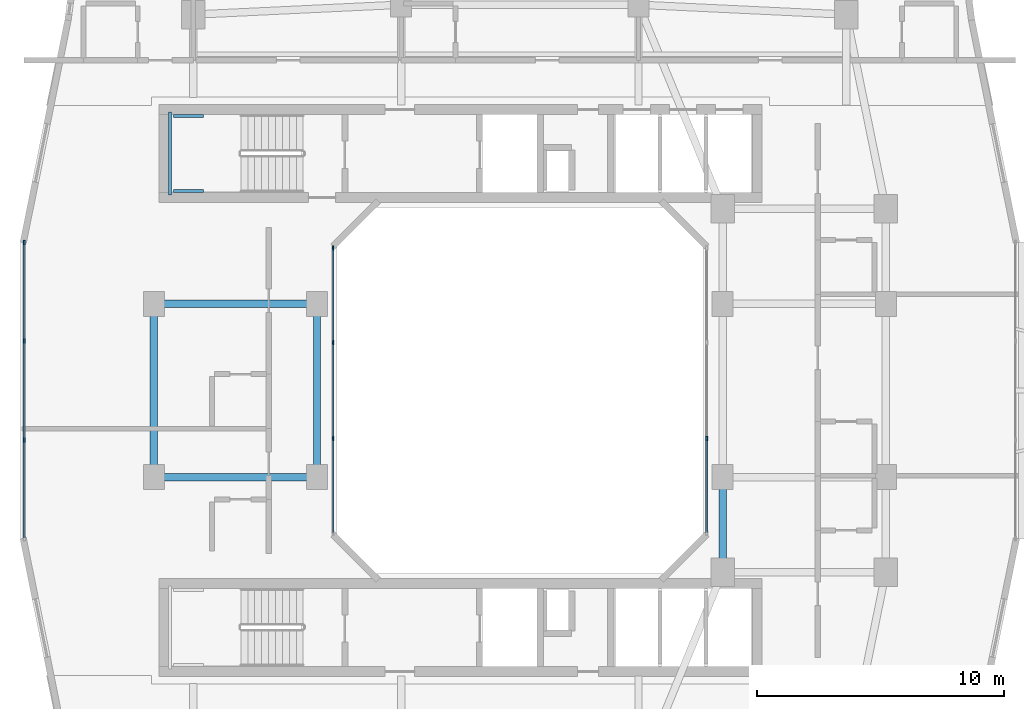
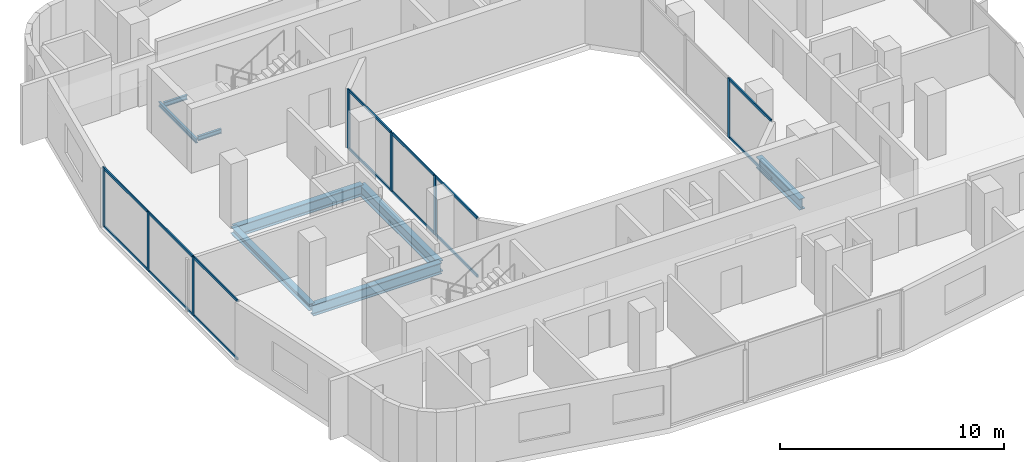
# One storey, part 3 of 26: 21 members, 8 beams, 3 elements without a shape of their own.
"""IFC4 building model written with IfcOpenShell, lengths in metres."""

import ifcopenshell
import ifcopenshell.guid

model = None  # the IFC model being written
_history = None  # IfcOwnerHistory: only IFC2X3 demands one
_inside = {}  # id of a spatial element -> (the spatial element, [elements in it])
_under = {}  # id of a project, library or spatial element -> (it, [spatial elements below it])
_declared = {}  # id of a project -> (the project, [libraries it declares])
_typed = {}  # id of a type object -> (the type object, [elements of that type])
_made_of = {}  # id of a material, layer set ... -> (it, [elements and type objects made of it])


def new_model(schema):
    """Start an empty IFC model of exactly this schema.

    Asked for "IFC4X3", IfcOpenShell would pick the latest addendum, in which some entities
    have other attributes; the version numbers below select the first issue.
    IFC2X3 requires an IfcOwnerHistory on every rooted entity: one is made here for all.
    """
    global model, _history
    if schema == "IFC4X3":
        model = ifcopenshell.file(schema_version=(4, 3, 0, 0))
    else:
        model = ifcopenshell.file(schema=schema)
    _inside.clear()
    _under.clear()
    _declared.clear()
    _typed.clear()
    _made_of.clear()
    _history = None
    if model.schema == "IFC2X3":
        org = make("IfcOrganization", Name="unknown")
        user = make(
            "IfcPersonAndOrganization",
            ThePerson=make("IfcPerson", FamilyName="unknown"),
            TheOrganization=org,
        )
        app = make(
            "IfcApplication",
            ApplicationDeveloper=org,
            Version="unknown",
            ApplicationFullName="unknown",
            ApplicationIdentifier="unknown",
        )
        _history = make(
            "IfcOwnerHistory",
            OwningUser=user,
            OwningApplication=app,
            ChangeAction="ADDED",
            CreationDate=0,
        )
    return model


def make(cls, **values):
    """One entity of the class cls with the attributes given. An attribute that is None is left unset."""
    return model.create_entity(
        cls, **{name: value for name, value in values.items() if value is not None}
    )


def rooted(cls, **values):
    """An entity with a GlobalId (a new one), such as an element, a storey or a relation."""
    return make(cls, GlobalId=ifcopenshell.guid.new(), OwnerHistory=_history, **values)


def si_unit(unit_type, name, prefix=None):
    """IfcSIUnit, for example si_unit("LENGTHUNIT", "METRE", prefix="MILLI")."""
    return make("IfcSIUnit", UnitType=unit_type, Prefix=prefix, Name=name)


def derived_unit(unit_type, elements):
    """IfcDerivedUnit: a product of units, each with its exponent."""
    return make(
        "IfcDerivedUnit",
        Elements=[
            make("IfcDerivedUnitElement", Unit=unit, Exponent=power)
            for unit, power in elements
        ],
        UnitType=unit_type,
    )


def assignment(units):
    """IfcUnitAssignment: the units of a project."""
    return None if units is None else make("IfcUnitAssignment", Units=units)


def point(xyz):
    """IfcCartesianPoint."""
    return None if xyz is None else make("IfcCartesianPoint", Coordinates=xyz)


def direction(xyz):
    """IfcDirection."""
    return None if xyz is None else make("IfcDirection", DirectionRatios=xyz)


def frame(location, z_axis=None, x_axis=None):
    """IfcAxis2Placement3D, a coordinate frame: its origin and axes. An axis left out is left unset."""
    return make(
        "IfcAxis2Placement3D",
        Location=point(location),
        Axis=direction(z_axis),
        RefDirection=direction(x_axis),
    )


def frame_2d(location, x_axis=None):
    """IfcAxis2Placement2D, a coordinate frame in the plane: its origin and x axis."""
    return make(
        "IfcAxis2Placement2D", Location=point(location), RefDirection=direction(x_axis)
    )


def origin():
    """The frame at (0, 0, 0) with its axes left unset."""
    return frame((0.0, 0.0, 0.0))


def origin_2d():
    """The frame at (0, 0) in the plane with its x axis left unset."""
    return frame_2d((0.0, 0.0))


def place(relative_to, where):
    """IfcLocalPlacement: puts the frame where relative to a parent placement (None: the world)."""
    return make(
        "IfcLocalPlacement", PlacementRelTo=relative_to, RelativePlacement=where
    )


def context(
    kind, dimensions, precision=None, world=None, true_north=None, identifier=None
):
    """IfcGeometricRepresentationContext, for example the 3D "Model" context."""
    return make(
        "IfcGeometricRepresentationContext",
        ContextIdentifier=identifier,
        ContextType=kind,
        CoordinateSpaceDimension=dimensions,
        Precision=precision,
        WorldCoordinateSystem=world,
        TrueNorth=true_north,
    )


def subcontext(parent, identifier, kind, view, scale=None):
    """IfcGeometricRepresentationSubContext, for example "Body" below "Model"."""
    return make(
        "IfcGeometricRepresentationSubContext",
        ContextIdentifier=identifier,
        ContextType=kind,
        ParentContext=parent,
        TargetScale=scale,
        TargetView=view,
    )


def project(units=None, contexts=None):
    """IfcProject with its units and contexts."""
    return rooted(
        "IfcProject",
        Name="project",
        RepresentationContexts=contexts,
        UnitsInContext=assignment(units),
    )


def spatial(cls, under=None, at=None, **own):
    """A site, building, storey or space (cls), placed at a placement, below another one or the project."""
    s = rooted(cls, ObjectPlacement=at, **own)
    if under is not None:
        _under.setdefault(under.id(), (under, []))[1].append(s)
    return s


def profile(cls, at=None, kind="AREA", **sizes):
    """A parametric profile (cls). Its sizes go by their IFC names, for example OverallWidth=200.0."""
    return make(cls, ProfileType=kind, Position=at, **sizes)


def rectangle(**sizes):
    """IfcRectangleProfileDef."""
    return profile("IfcRectangleProfileDef", **sizes)


def i_section(**sizes):
    """IfcIShapeProfileDef."""
    return profile("IfcIShapeProfileDef", **sizes)


def extrude(swept, where, along, depth):
    """IfcExtrudedAreaSolid: the profile swept, set in the frame where, extruded along a direction by depth."""
    return make(
        "IfcExtrudedAreaSolid",
        SweptArea=swept,
        Position=where,
        ExtrudedDirection=direction(along),
        Depth=depth,
    )


def shape(context_of_items, identifier, shape_type, items):
    """IfcShapeRepresentation: the items that make up one representation, for example the "Body"."""
    return make(
        "IfcShapeRepresentation",
        ContextOfItems=context_of_items,
        RepresentationIdentifier=identifier,
        RepresentationType=shape_type,
        Items=items,
    )


def material(Name=None, Category=None):
    """IfcMaterial."""
    return make("IfcMaterial", Name=Name, Category=Category)


def layer(
    of_material, thickness, ventilated=None, Name=None, Category=None, Priority=None
):
    """IfcMaterialLayer: one layer of a wall or slab, of a material (None: an air gap)."""
    return make(
        "IfcMaterialLayer",
        Material=of_material,
        LayerThickness=thickness,
        IsVentilated=ventilated,
        Name=Name,
        Category=Category,
        Priority=Priority,
    )


def layer_set(layers, Name=None):
    """IfcMaterialLayerSet."""
    return make("IfcMaterialLayerSet", MaterialLayers=layers, LayerSetName=Name)


def material_profile(
    of_material, cross_section, Name=None, Category=None, Priority=None
):
    """IfcMaterialProfile: a cross section and its material."""
    return make(
        "IfcMaterialProfile",
        Name=Name,
        Material=of_material,
        Profile=cross_section,
        Priority=Priority,
        Category=Category,
    )


def profile_set(profiles, Name=None, composite=None):
    """IfcMaterialProfileSet."""
    return make(
        "IfcMaterialProfileSet",
        Name=Name,
        MaterialProfiles=profiles,
        CompositeProfile=composite,
    )


def made_of(thing, what):
    """Note that an element or type object is made of a material, layer set ...; save() writes the relation."""
    if what is not None:
        _made_of.setdefault(what.id(), (what, []))[1].append(thing)
    return thing


def type_object(cls, material=None, **own):
    """A type object (cls), such as IfcWallType, which elements share."""
    return made_of(rooted(cls, **own), material)


def element(
    cls,
    number,
    at=None,
    inside=None,
    cuts=None,
    type_object=None,
    material=None,
    context=None,
    identifier="Body",
    shape_type=None,
    held_by="IfcProductDefinitionShape",
    body=None,
    shapes=None,
    **own,
):
    """One element of the class cls, such as IfcWall. Its Tag is "e" and its number.

    at: its placement. inside: the storey or other place that contains it. cuts: it is an
    opening in that element (IfcRelVoidsElement). A single representation is given by context,
    identifier, shape_type and body (its items); several are given by shapes. held_by: the class
    of the entity that holds the representations. save() writes the other relations.
    """
    e = rooted(cls, Tag="e%d" % number, ObjectPlacement=at, **own)
    if body is not None:
        shapes = [shape(context, identifier, shape_type, body)]
    if shapes is not None:
        e.Representation = make(held_by, Representations=shapes)
    if inside is not None:
        _inside.setdefault(inside.id(), (inside, []))[1].append(e)
    if cuts is not None:
        rooted(
            "IfcRelVoidsElement", RelatingBuildingElement=cuts, RelatedOpeningElement=e
        )
    if type_object is not None:
        _typed.setdefault(type_object.id(), (type_object, []))[1].append(e)
    return made_of(e, material)


def aggregate(whole, parts):
    """IfcRelAggregates: a whole, such as a stair, and the parts it consists of."""
    return rooted("IfcRelAggregates", RelatingObject=whole, RelatedObjects=parts)


def save(model, path):
    """Write the relations noted so far, then the file.

    IfcRelAggregates (storeys below a building ...), IfcRelContainedInSpatialStructure (elements
    in a storey), IfcRelDefinesByType, IfcRelAssociatesMaterial and IfcRelDeclares: one each for
    every whole, place, type object, material and project.
    """
    for whole, parts in _under.values():
        aggregate(whole, parts)
    for where, things in _inside.values():
        rooted(
            "IfcRelContainedInSpatialStructure",
            RelatedElements=things,
            RelatingStructure=where,
        )
    for kind, things in _typed.values():
        rooted("IfcRelDefinesByType", RelatedObjects=things, RelatingType=kind)
    for what, things in _made_of.values():
        rooted("IfcRelAssociatesMaterial", RelatedObjects=things, RelatingMaterial=what)
    for by, libraries in _declared.values():
        rooted("IfcRelDeclares", RelatingContext=by, RelatedDefinitions=libraries)
    model.write(path)


model = new_model("IFC4")

# Units and contexts
model_context = context("Model", 3, precision=1e-05, world=origin(), true_north=direction((0.0, 1.0)))
body_context = subcontext(model_context, "Body", "Model", "MODEL_VIEW")
ifc_project = project(units=[si_unit("LENGTHUNIT", "METRE"), si_unit("AREAUNIT", "SQUARE_METRE"), si_unit("VOLUMEUNIT", "CUBIC_METRE"), si_unit("PLANEANGLEUNIT", "RADIAN"), si_unit("MASSUNIT", "GRAM", prefix="KILO"), derived_unit("THERMALTRANSMITTANCEUNIT", [(si_unit("POWERUNIT", "WATT"), 1), (si_unit("LENGTHUNIT", "METRE"), -2), (si_unit("THERMODYNAMICTEMPERATUREUNIT", "KELVIN"), -1)])], contexts=[model_context])

# Site, building, storey
site_placement = place(None, origin())
site = spatial("IfcSite", under=ifc_project, at=site_placement, CompositionType="ELEMENT")
building_placement = place(site_placement, origin())
building = spatial("IfcBuilding", under=site, at=building_placement, Name="Kivonza Crest Hotel", CompositionType="ELEMENT")
storey_placement = place(building_placement, frame((0.0, 0.0, 109.0)))
storey = spatial("IfcBuildingStorey", under=building, at=storey_placement, Name="L29", CompositionType="ELEMENT", Elevation=109.0)

# Beams
ifc_material_1 = material(Name="Steel S355", Category="steel")
ifc_material_profile_1 = material_profile(ifc_material_1, i_section(OverallWidth=0.300048828125, OverallDepth=0.360107421875, WebThickness=0.012451171875, FlangeThickness=0.0224609375, FilletRadius=0.027099609375, at=origin_2d()), Name="HEB 360")
ifc_profile_set_1 = profile_set([ifc_material_profile_1], Name="Steel S355")
beam_type_1 = type_object("IfcBeamType", Name="BM-HEB360", PredefinedType="SPANDREL", material=ifc_profile_set_1)
beam_1_placement = place(storey_placement, frame((6.199951171875, 28.5, -0.4599609375), z_axis=(0.0, -1.0, 0.0), x_axis=(1.0, 0.0, 0.0)))
element("IfcBeam", 1, at=beam_1_placement, inside=storey, type_object=beam_type_1, Name="Tower T1 L29 perimeter spandrel W2-W1", PredefinedType="SPANDREL", context=body_context, shape_type="SweptSolid", body=[
    extrude(i_section(OverallWidth=0.300048828125, OverallDepth=0.360107421875, WebThickness=0.012451171875, FlangeThickness=0.0224609375, FilletRadius=0.027099609375, at=origin_2d()), origin(), (0.0, 0.0, 1.0), 7.0),
])
ifc_material_profile_2 = material_profile(ifc_material_1, i_section(OverallWidth=0.300048828125, OverallDepth=0.60009765625, WebThickness=0.015380859375, FlangeThickness=0.030029296875, FilletRadius=0.027099609375, at=origin_2d()), Name="HEB 600")
ifc_profile_set_2 = profile_set([ifc_material_profile_2], Name="Steel S355")
beam_type_2 = type_object("IfcBeamType", Name="BM-HEB600", PredefinedType="BEAM", material=ifc_profile_set_2)
for number, where, z_axis, x_axis, name in (
    (2, (6.199951171875, 21.5, -0.580078125), (1.0, 0.0, 0.0), (0.0, 1.0, 0.0), "Tower T1 L29 primary girder W1-WL1"),
    (3, (6.199951171875, 28.5, -0.580078125), (1.0, 0.0, 0.0), (0.0, 1.0, 0.0), "Tower T1 L29 primary girder W2-WL2"),
):
    element("IfcBeam", number, at=place(storey_placement, frame(where, z_axis=z_axis, x_axis=x_axis)), inside=storey, type_object=beam_type_2, Name=name, PredefinedType="BEAM", context=body_context, shape_type="SweptSolid", body=[
        extrude(i_section(OverallWidth=0.300048828125, OverallDepth=0.60009765625, WebThickness=0.015380859375, FlangeThickness=0.030029296875, FilletRadius=0.027099609375, at=origin_2d()), origin(), (0.0, 0.0, 1.0), 6.60009765625),
    ])
beam_2_placement = place(storey_placement, frame((12.800048828125, 21.5, -0.580078125), z_axis=(0.0, 1.0, 0.0), x_axis=(-1.0, 0.0, 0.0)))
element("IfcBeam", 4, at=beam_2_placement, inside=storey, type_object=beam_type_2, Name="Tower T1 L29 primary girder WL1-WL2", PredefinedType="BEAM", context=body_context, shape_type="SweptSolid", body=[
    extrude(i_section(OverallWidth=0.300048828125, OverallDepth=0.60009765625, WebThickness=0.015380859375, FlangeThickness=0.030029296875, FilletRadius=0.027099609375, at=origin_2d()), origin(), (0.0, 0.0, 1.0), 7.0),
])
beam_3_placement = place(storey_placement, frame((29.199951171875, 17.64990234375, -0.580078125), z_axis=(0.0, 1.0, 0.0), x_axis=(-1.0, 0.0, 0.0)))
element("IfcBeam", 5, at=beam_3_placement, inside=storey, type_object=beam_type_2, Name="Tower T1 L29 primary girder TSE-WR1", PredefinedType="BEAM", context=body_context, shape_type="SweptSolid", body=[
    extrude(i_section(OverallWidth=0.300048828125, OverallDepth=0.60009765625, WebThickness=0.015380859375, FlangeThickness=0.030029296875, FilletRadius=0.027099609375, at=origin_2d()), origin(), (0.0, 0.0, 1.0), 3.85009765625),
])
ifc_material_profile_3 = material_profile(ifc_material_1, i_section(OverallWidth=0.1201171875, OverallDepth=0.239990234375, WebThickness=0.006103515625, FlangeThickness=0.009765625, FilletRadius=0.014892578125, at=origin_2d()), Name="IPE 240")
ifc_profile_set_3 = profile_set([ifc_material_profile_3], Name="Steel S355")
beam_type_3 = type_object("IfcBeamType", Name="BM-LLDG-240", PredefinedType="BEAM", material=ifc_profile_set_3)
beam_4_placement = place(storey_placement, frame((6.860107421875, 32.89990234375, 1.429931640625), z_axis=(0.0, 1.0, 0.0), x_axis=(-1.0, 0.0, 0.0)))
element("IfcBeam", 6, at=beam_4_placement, inside=storey, type_object=beam_type_3, Name="Stair ST-T1-N L29 West landing corbel", PredefinedType="BEAM", context=body_context, shape_type="SweptSolid", body=[
    extrude(i_section(OverallWidth=0.1201171875, OverallDepth=0.239990234375, WebThickness=0.006103515625, FlangeThickness=0.009765625, FilletRadius=0.014892578125, at=origin_2d()), origin(), (0.0, 0.0, 1.0), 3.360107421875),
])
for number, where, z_axis, x_axis, name in (
    (7, (6.989990234375, 33.06005859375, 1.429931640625), (1.0, 0.0, 0.0), (0.0, 1.0, 0.0), "Stair ST-T1-N L29 South landing corbel"),
    (8, (6.989990234375, 36.10009765625, 1.429931640625), (1.0, 0.0, 0.0), (0.0, 1.0, 0.0), "Stair ST-T1-N L29 North landing corbel"),
):
    element("IfcBeam", number, at=place(storey_placement, frame(where, z_axis=z_axis, x_axis=x_axis)), inside=storey, type_object=beam_type_3, Name=name, PredefinedType="BEAM", context=body_context, shape_type="SweptSolid", body=[
        extrude(i_section(OverallWidth=0.1201171875, OverallDepth=0.239990234375, WebThickness=0.006103515625, FlangeThickness=0.009765625, FilletRadius=0.014892578125, at=origin_2d()), origin(), (0.0, 0.0, 1.0), 1.2099609375),
    ])

# Curtain wall, members
ifc_material_2 = material(Name="Anodised bronze aluminium and low-E double glazing", Category="aluminium")
ifc_layer_1 = layer(ifc_material_2, 0.179931640625)
ifc_layer_set_1 = layer_set([ifc_layer_1], Name="Anodised bronze aluminium and low-E double glazing")
curtain_wall_type_1 = type_object("IfcCurtainWallType", Name="CW-SYS-2", PredefinedType="NOTDEFINED", material=ifc_layer_set_1)
curtain_wall_1_placement = place(storey_placement, origin())
curtain_wall_1 = element("IfcCurtainWall", 9, at=curtain_wall_1_placement, inside=storey, type_object=curtain_wall_type_1, Name="L29 unitised curtain wall CW-T1-L29-35", PredefinedType="NOTDEFINED")
ifc_material_3 = material(Name="Anodised bronze aluminium", Category="aluminium")
ifc_material_profile_4 = material_profile(ifc_material_3, rectangle(XDim=0.06494140625, YDim=0.179931640625, at=origin_2d()), Name="CW-M 65x180")
ifc_profile_set_4 = profile_set([ifc_material_profile_4], Name="Anodised bronze aluminium")
member_type_1 = type_object("IfcMemberType", Name="CW-MUL-65x180", PredefinedType="MULLION", material=ifc_profile_set_4)
member_1_placement = place(storey_placement, frame((0.9599609375, 30.987548828125, 0.0), z_axis=(0.0, 0.0, 1.0), x_axis=(1.0, 0.0, 0.0)))
member_1 = element("IfcMember", 10, at=member_1_placement, type_object=member_type_1, Name="CW-2 mullion 1", PredefinedType="MULLION", context=body_context, shape_type="SweptSolid", body=[
    extrude(rectangle(XDim=0.06494140625, YDim=0.179931640625, at=origin_2d()), origin(), (0.0, 0.0, 1.0), 3.219970703125),
])
member_2_placement = place(storey_placement, frame((0.9599609375, 27.006591796875, 0.0), z_axis=(0.0, 0.0, 1.0), x_axis=(1.0, 0.0, 0.0)))
member_2 = element("IfcMember", 11, at=member_2_placement, type_object=member_type_1, Name="CW-2 mullion 2", PredefinedType="MULLION", context=body_context, shape_type="SweptSolid", body=[
    extrude(rectangle(XDim=0.06494140625, YDim=0.179931640625, at=origin_2d()), origin(), (0.0, 0.0, 1.0), 3.219970703125),
])
member_3_placement = place(storey_placement, frame((0.9599609375, 22.993408203125, 0.0), z_axis=(0.0, 0.0, 1.0), x_axis=(1.0, 0.0, 0.0)))
member_3 = element("IfcMember", 12, at=member_3_placement, type_object=member_type_1, Name="CW-2 mullion 3", PredefinedType="MULLION", context=body_context, shape_type="SweptSolid", body=[
    extrude(rectangle(XDim=0.06494140625, YDim=0.179931640625, at=origin_2d()), origin(), (0.0, 0.0, 1.0), 3.219970703125),
])

# Curtain wall, member
ifc_layer_2 = layer(ifc_material_2, 0.159912109375)
ifc_layer_set_2 = layer_set([ifc_layer_2], Name="Anodised bronze aluminium and low-E double glazing")
curtain_wall_type_2 = type_object("IfcCurtainWallType", Name="CW-SYS-5", PredefinedType="NOTDEFINED", material=ifc_layer_set_2)
curtain_wall_2_placement = place(storey_placement, origin())
curtain_wall_2 = element("IfcCurtainWall", 13, at=curtain_wall_2_placement, inside=storey, type_object=curtain_wall_type_2, Name="L29 unitised curtain wall CW-WELL-T1-L29-3", PredefinedType="NOTDEFINED")
member_4_placement = place(storey_placement, frame((28.56005859375, 23.066650390625, 0.0), z_axis=(0.0, 0.0, 1.0), x_axis=(-1.0, 0.0, 0.0)))
member_4 = element("IfcMember", 14, at=member_4_placement, type_object=member_type_1, Name="CW-5 mullion 2", PredefinedType="MULLION", context=body_context, shape_type="SweptSolid", body=[
    extrude(rectangle(XDim=0.06494140625, YDim=0.179931640625, at=origin_2d()), origin(), (0.0, 0.0, 1.0), 3.219970703125),
])

# Curtain wall, members
curtain_wall_3_placement = place(storey_placement, origin())
curtain_wall_3 = element("IfcCurtainWall", 15, at=curtain_wall_3_placement, inside=storey, type_object=curtain_wall_type_2, Name="L29 unitised curtain wall CW-WELL-T1-L29-7", PredefinedType="NOTDEFINED")
member_5_placement = place(storey_placement, frame((13.43994140625, 30.767578125, 0.0), z_axis=(0.0, 0.0, 1.0), x_axis=(1.0, 0.0, 0.0)))
member_5 = element("IfcMember", 16, at=member_5_placement, type_object=member_type_1, Name="CW-5 mullion 1", PredefinedType="MULLION", context=body_context, shape_type="SweptSolid", body=[
    extrude(rectangle(XDim=0.06494140625, YDim=0.179931640625, at=origin_2d()), origin(), (0.0, 0.0, 1.0), 3.219970703125),
])
member_6_placement = place(storey_placement, frame((13.43994140625, 26.933349609375, 0.0), z_axis=(0.0, 0.0, 1.0), x_axis=(1.0, 0.0, 0.0)))
member_6 = element("IfcMember", 17, at=member_6_placement, type_object=member_type_1, Name="CW-5 mullion 2", PredefinedType="MULLION", context=body_context, shape_type="SweptSolid", body=[
    extrude(rectangle(XDim=0.06494140625, YDim=0.179931640625, at=origin_2d()), origin(), (0.0, 0.0, 1.0), 3.219970703125),
])
member_7_placement = place(storey_placement, frame((13.43994140625, 23.066650390625, 0.0), z_axis=(0.0, 0.0, 1.0), x_axis=(1.0, 0.0, 0.0)))
member_7 = element("IfcMember", 18, at=member_7_placement, type_object=member_type_1, Name="CW-5 mullion 3", PredefinedType="MULLION", context=body_context, shape_type="SweptSolid", body=[
    extrude(rectangle(XDim=0.06494140625, YDim=0.179931640625, at=origin_2d()), origin(), (0.0, 0.0, 1.0), 3.219970703125),
])

# Member
ifc_material_profile_5 = material_profile(ifc_material_3, rectangle(XDim=0.06494140625, YDim=0.139892578125, at=origin_2d()), Name="CW-T 65x140")
ifc_profile_set_5 = profile_set([ifc_material_profile_5], Name="Anodised bronze aluminium")
member_type_2 = type_object("IfcMemberType", Name="CW-TRN-65x140", PredefinedType="USERDEFINED", material=ifc_profile_set_5)
member_8_placement = place(storey_placement, frame((0.9599609375, 30.955078125, 0.032470703125), z_axis=(0.0, -1.0, 0.0), x_axis=(1.0, 0.0, 0.0)))
member_8 = element("IfcMember", 19, at=member_8_placement, type_object=member_type_2, Name="CW-2 transom 1.1", ObjectType="TRANSOM", PredefinedType="USERDEFINED", context=body_context, shape_type="SweptSolid", body=[
    extrude(rectangle(XDim=0.06494140625, YDim=0.139892578125, at=origin_2d()), origin(), (0.0, 0.0, 1.0), 3.916015625),
])

member_9_placement = place(storey_placement, frame((0.9599609375, 30.955078125, 3.1875), z_axis=(0.0, -1.0, 0.0), x_axis=(1.0, 0.0, 0.0)))
member_9 = element("IfcMember", 20, at=member_9_placement, type_object=member_type_2, Name="CW-2 transom 1.2", ObjectType="TRANSOM", PredefinedType="USERDEFINED", context=body_context, shape_type="SweptSolid", body=[
    extrude(rectangle(XDim=0.06494140625, YDim=0.139892578125, at=origin_2d()), origin(), (0.0, 0.0, 1.0), 3.916015625),
])

member_10_placement = place(storey_placement, frame((0.9599609375, 26.97412109375, 0.032470703125), z_axis=(0.0, -1.0, 0.0), x_axis=(1.0, 0.0, 0.0)))
member_10 = element("IfcMember", 21, at=member_10_placement, type_object=member_type_2, Name="CW-2 transom 2.1", ObjectType="TRANSOM", PredefinedType="USERDEFINED", context=body_context, shape_type="SweptSolid", body=[
    extrude(rectangle(XDim=0.06494140625, YDim=0.139892578125, at=origin_2d()), origin(), (0.0, 0.0, 1.0), 3.9482421875),
])

member_11_placement = place(storey_placement, frame((0.9599609375, 26.97412109375, 3.1875), z_axis=(0.0, -1.0, 0.0), x_axis=(1.0, 0.0, 0.0)))
member_11 = element("IfcMember", 22, at=member_11_placement, type_object=member_type_2, Name="CW-2 transom 2.2", ObjectType="TRANSOM", PredefinedType="USERDEFINED", context=body_context, shape_type="SweptSolid", body=[
    extrude(rectangle(XDim=0.06494140625, YDim=0.139892578125, at=origin_2d()), origin(), (0.0, 0.0, 1.0), 3.9482421875),
])

member_12_placement = place(storey_placement, frame((0.9599609375, 22.9609375, 0.032470703125), z_axis=(0.0, -1.0, 0.0), x_axis=(1.0, 0.0, 0.0)))
member_12 = element("IfcMember", 23, at=member_12_placement, type_object=member_type_2, Name="CW-2 transom 3.1", ObjectType="TRANSOM", PredefinedType="USERDEFINED", context=body_context, shape_type="SweptSolid", body=[
    extrude(rectangle(XDim=0.06494140625, YDim=0.139892578125, at=origin_2d()), origin(), (0.0, 0.0, 1.0), 3.916015625),
])

member_13_placement = place(storey_placement, frame((0.9599609375, 22.9609375, 3.1875), z_axis=(0.0, -1.0, 0.0), x_axis=(1.0, 0.0, 0.0)))
member_13 = element("IfcMember", 24, at=member_13_placement, type_object=member_type_2, Name="CW-2 transom 3.2", ObjectType="TRANSOM", PredefinedType="USERDEFINED", context=body_context, shape_type="SweptSolid", body=[
    extrude(rectangle(XDim=0.06494140625, YDim=0.139892578125, at=origin_2d()), origin(), (0.0, 0.0, 1.0), 3.916015625),
])

aggregate(curtain_wall_1, [member_1, member_2, member_3, member_8, member_9, member_10, member_11, member_12, member_13])

member_14_placement = place(storey_placement, frame((28.56005859375, 19.264892578125, 0.032470703125), z_axis=(0.0, 1.0, 0.0), x_axis=(-1.0, 0.0, 0.0)))
member_14 = element("IfcMember", 25, at=member_14_placement, type_object=member_type_2, Name="CW-5 transom 1.1", ObjectType="TRANSOM", PredefinedType="USERDEFINED", context=body_context, shape_type="SweptSolid", body=[
    extrude(rectangle(XDim=0.06494140625, YDim=0.139892578125, at=origin_2d()), origin(), (0.0, 0.0, 1.0), 3.769287109375),
])

member_15_placement = place(storey_placement, frame((28.56005859375, 19.264892578125, 3.1875), z_axis=(0.0, 1.0, 0.0), x_axis=(-1.0, 0.0, 0.0)))
member_15 = element("IfcMember", 26, at=member_15_placement, type_object=member_type_2, Name="CW-5 transom 1.2", ObjectType="TRANSOM", PredefinedType="USERDEFINED", context=body_context, shape_type="SweptSolid", body=[
    extrude(rectangle(XDim=0.06494140625, YDim=0.139892578125, at=origin_2d()), origin(), (0.0, 0.0, 1.0), 3.769287109375),
])

aggregate(curtain_wall_2, [member_4, member_14, member_15])

member_16_placement = place(storey_placement, frame((13.43994140625, 30.735107421875, 0.032470703125), z_axis=(0.0, -1.0, 0.0), x_axis=(1.0, 0.0, 0.0)))
member_16 = element("IfcMember", 27, at=member_16_placement, type_object=member_type_2, Name="CW-5 transom 1.1", ObjectType="TRANSOM", PredefinedType="USERDEFINED", context=body_context, shape_type="SweptSolid", body=[
    extrude(rectangle(XDim=0.06494140625, YDim=0.139892578125, at=origin_2d()), origin(), (0.0, 0.0, 1.0), 3.769287109375),
])

member_17_placement = place(storey_placement, frame((13.43994140625, 30.735107421875, 3.1875), z_axis=(0.0, -1.0, 0.0), x_axis=(1.0, 0.0, 0.0)))
member_17 = element("IfcMember", 28, at=member_17_placement, type_object=member_type_2, Name="CW-5 transom 1.2", ObjectType="TRANSOM", PredefinedType="USERDEFINED", context=body_context, shape_type="SweptSolid", body=[
    extrude(rectangle(XDim=0.06494140625, YDim=0.139892578125, at=origin_2d()), origin(), (0.0, 0.0, 1.0), 3.769287109375),
])

member_18_placement = place(storey_placement, frame((13.43994140625, 26.90087890625, 0.032470703125), z_axis=(0.0, -1.0, 0.0), x_axis=(1.0, 0.0, 0.0)))
member_18 = element("IfcMember", 29, at=member_18_placement, type_object=member_type_2, Name="CW-5 transom 2.1", ObjectType="TRANSOM", PredefinedType="USERDEFINED", context=body_context, shape_type="SweptSolid", body=[
    extrude(rectangle(XDim=0.06494140625, YDim=0.139892578125, at=origin_2d()), origin(), (0.0, 0.0, 1.0), 3.8017578125),
])

member_19_placement = place(storey_placement, frame((13.43994140625, 26.90087890625, 3.1875), z_axis=(0.0, -1.0, 0.0), x_axis=(1.0, 0.0, 0.0)))
member_19 = element("IfcMember", 30, at=member_19_placement, type_object=member_type_2, Name="CW-5 transom 2.2", ObjectType="TRANSOM", PredefinedType="USERDEFINED", context=body_context, shape_type="SweptSolid", body=[
    extrude(rectangle(XDim=0.06494140625, YDim=0.139892578125, at=origin_2d()), origin(), (0.0, 0.0, 1.0), 3.8017578125),
])

member_20_placement = place(storey_placement, frame((13.43994140625, 23.0341796875, 0.032470703125), z_axis=(0.0, -1.0, 0.0), x_axis=(1.0, 0.0, 0.0)))
member_20 = element("IfcMember", 31, at=member_20_placement, type_object=member_type_2, Name="CW-5 transom 3.1", ObjectType="TRANSOM", PredefinedType="USERDEFINED", context=body_context, shape_type="SweptSolid", body=[
    extrude(rectangle(XDim=0.06494140625, YDim=0.139892578125, at=origin_2d()), origin(), (0.0, 0.0, 1.0), 3.769287109375),
])

member_21_placement = place(storey_placement, frame((13.43994140625, 23.0341796875, 3.1875), z_axis=(0.0, -1.0, 0.0), x_axis=(1.0, 0.0, 0.0)))
member_21 = element("IfcMember", 32, at=member_21_placement, type_object=member_type_2, Name="CW-5 transom 3.2", ObjectType="TRANSOM", PredefinedType="USERDEFINED", context=body_context, shape_type="SweptSolid", body=[
    extrude(rectangle(XDim=0.06494140625, YDim=0.139892578125, at=origin_2d()), origin(), (0.0, 0.0, 1.0), 3.769287109375),
])

aggregate(curtain_wall_3, [member_5, member_6, member_7, member_16, member_17, member_18, member_19, member_20, member_21])

save(model, "model.ifc")
